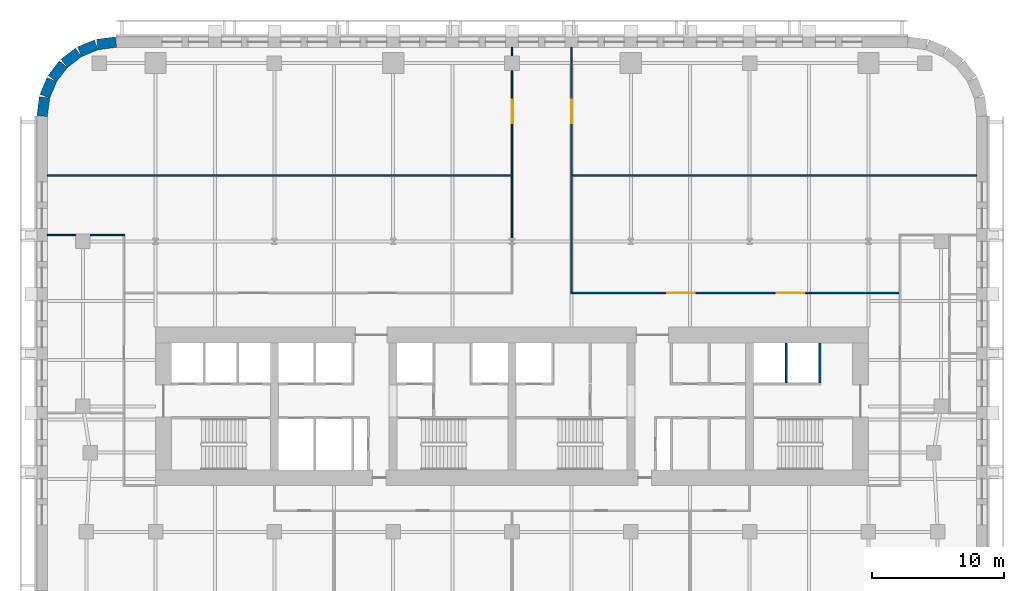
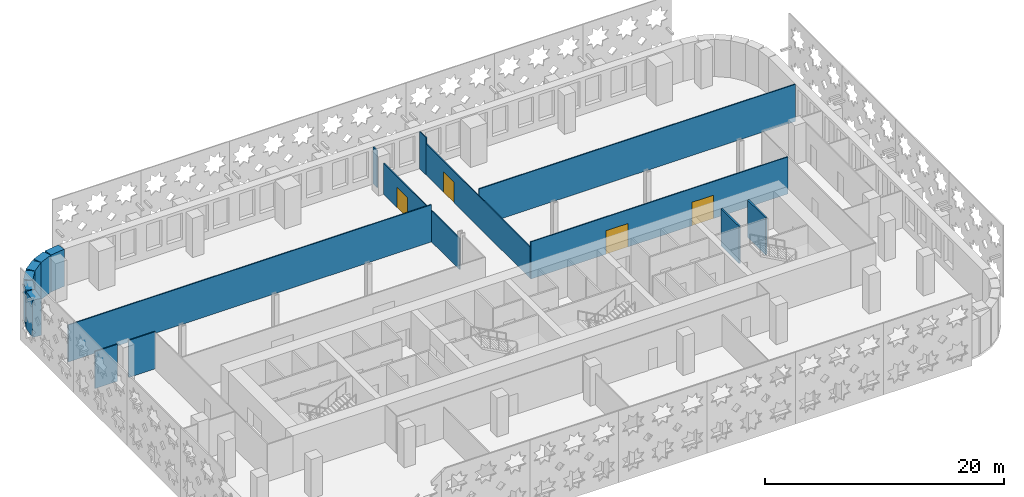
# One storey, part 7 of 15: 17 walls, 4 doors, 4 openings.
"""IFC4 building model written with IfcOpenShell, lengths in metres."""

from ifc_helpers import new_model, si_unit, direction, frame, frame_2d, origin, place, context, subcontext, project, spatial, rectangle, extrude, material, layer, layer_set, type_object, element, fill, save


model = new_model("IFC4")

# Units and contexts
model_context = context("Model", 3, precision=1e-05, world=origin(), true_north=direction((0.0, 1.0)))
body_context = subcontext(model_context, "Body", "Model", "MODEL_VIEW")
ifc_project = project(units=[si_unit("LENGTHUNIT", "METRE"), si_unit("AREAUNIT", "SQUARE_METRE"), si_unit("VOLUMEUNIT", "CUBIC_METRE"), si_unit("PLANEANGLEUNIT", "RADIAN"), si_unit("MASSUNIT", "GRAM", prefix="KILO")], contexts=[model_context])

# Site, building, storey
site_placement = place(None, origin())
site = spatial("IfcSite", under=ifc_project, at=site_placement, CompositionType="ELEMENT")
building_placement = place(site_placement, origin())
building = spatial("IfcBuilding", under=site, at=building_placement, Name="Zellij Exchange Tower", CompositionType="ELEMENT")
storey_placement = place(building_placement, frame((0.0, 0.0, 84.5)))
storey = spatial("IfcBuildingStorey", under=building, at=storey_placement, Name="L17", CompositionType="ELEMENT", Elevation=84.5)

# Walls
ifc_material_1 = material(Name="Gypsum shaft wall system")
ifc_layer_1 = layer(ifc_material_1, 0.14990234375)
ifc_layer_set_1 = layer_set([ifc_layer_1], Name="Gypsum shaft wall system")
wall_type_1 = type_object("IfcWallType", Name="CORE-PW 150 Lift shaft wall", PredefinedType="PARTITIONING", material=ifc_layer_set_1)
for number, where, z_axis, x_axis, name in (
    (1, (20.77490234375, -6.22509765625, 0.0), (0.0, 0.0, 1.0), (0.0, 1.0, 0.0), "Lift shaft wall L17"),
    (2, (23.324951171875, -6.22509765625, 0.0), (0.0, 0.0, 1.0), (0.0, 1.0, 0.0), "Lift shaft wall L17"),
):
    element("IfcWall", number, at=place(storey_placement, frame(where, z_axis=z_axis, x_axis=x_axis)), inside=storey, type_object=wall_type_1, Name=name, PredefinedType="PARTITIONING", context=body_context, shape_type="SweptSolid", body=[
        extrude(rectangle(XDim=3.025146484375, YDim=0.14990234375, at=frame_2d((1.5126953125, 0.0))), origin(), (0.0, 0.0, 1.0), 3.800048828125),
    ])
ifc_material_2 = material(Name="Precast concrete C40/50", Category="concrete")
ifc_layer_2 = layer(ifc_material_2, 0.800048828125)
ifc_layer_set_2 = layer_set([ifc_layer_2], Name="Precast concrete C40/50")
wall_type_2 = type_object("IfcWallType", Name="ENV-EW1 Precast stone-piered wall 800", PredefinedType="SOLIDWALL", material=ifc_layer_set_2)
wall_1_placement = place(storey_placement, frame((-29.999755859375, 19.5966796875, 0.0), z_axis=(0.0, 0.0, 1.0), x_axis=(-0.99144603414, -0.130517283865, 0.0)))
element("IfcWall", 3, at=wall_1_placement, inside=storey, type_object=wall_type_2, Name="fac.L17.15", PredefinedType="SOLIDWALL", context=body_context, shape_type="SweptSolid", body=[
    extrude(rectangle(XDim=1.408447265625, YDim=0.800048828125, at=frame_2d((0.7041015625, 0.0))), origin(), (0.0, 0.0, 1.0), 3.800048828125),
])
wall_2_placement = place(storey_placement, frame((-31.497314453125, 19.3857421875, 0.0), z_axis=(0.0, 0.0, 1.0), x_axis=(-0.923847774587, -0.38276009378, 0.0)))
element("IfcWall", 4, at=wall_2_placement, inside=storey, type_object=wall_type_2, Name="fac.L17.16", PredefinedType="SOLIDWALL", context=body_context, shape_type="SweptSolid", body=[
    extrude(rectangle(XDim=1.35546875, YDim=0.800048828125, at=frame_2d((0.677734375, 0.0))), origin(), (0.0, 0.0, 1.0), 3.800048828125),
])
for number, where, z_axis, x_axis, name in (
    (5, (-32.840087890625, 18.814697265625, 0.0), (0.0, 0.0, 1.0), (-0.793272915452, -0.608866226366, 0.0), "fac.L17.17"),
    (6, (-33.9892578125, 17.91552734375, 0.0), (0.0, 0.0, 1.0), (-0.608866226366, -0.793272915452, 0.0), "fac.L17.18"),
):
    element("IfcWall", number, at=place(storey_placement, frame(where, z_axis=z_axis, x_axis=x_axis)), inside=storey, type_object=wall_type_2, Name=name, PredefinedType="SOLIDWALL", context=body_context, shape_type="SweptSolid", body=[
        extrude(rectangle(XDim=1.355712890625, YDim=0.800048828125, at=frame_2d((0.677734375, 0.0))), origin(), (0.0, 0.0, 1.0), 3.800048828125),
    ])
wall_3_placement = place(storey_placement, frame((-34.866943359375, 16.74951171875, 0.0), z_axis=(0.0, 0.0, 1.0), x_axis=(-0.38276009378, -0.923847774587, 0.0)))
element("IfcWall", 7, at=wall_3_placement, inside=storey, type_object=wall_type_2, Name="fac.L17.19", PredefinedType="SOLIDWALL", context=body_context, shape_type="SweptSolid", body=[
    extrude(rectangle(XDim=1.35546875, YDim=0.800048828125, at=frame_2d((0.677734375, 0.0))), origin(), (0.0, 0.0, 1.0), 3.800048828125),
])
wall_4_placement = place(storey_placement, frame((-35.412841796875, 15.396240234375, 0.0), z_axis=(0.0, 0.0, 1.0), x_axis=(-0.130517283865, -0.99144603414, 0.0)))
element("IfcWall", 8, at=wall_4_placement, inside=storey, type_object=wall_type_2, Name="fac.L17.20", PredefinedType="SOLIDWALL", context=body_context, shape_type="SweptSolid", body=[
    extrude(rectangle(XDim=1.408447265625, YDim=0.800048828125, at=frame_2d((0.7041015625, 0.0))), origin(), (0.0, 0.0, 1.0), 3.800048828125),
])

# Wall, opening, door
ifc_material_3 = material(Name="Gypsum board partition on steel studs", Category="steel")
ifc_layer_3 = layer(ifc_material_3, 0.10009765625)
ifc_layer_set_3 = layer_set([ifc_layer_3], Name="Gypsum board partition on steel studs")
wall_type_3 = type_object("IfcWallType", Name="FIT-PARTITION-100", PredefinedType="PARTITIONING", material=ifc_layer_set_3)
wall_5_placement = place(storey_placement, frame((0.0, 4.7490234375, 0.0), z_axis=(0.0, 0.0, 1.0), x_axis=(0.0, 1.0, 0.0)))
wall_5 = element("IfcWall", 9, at=wall_5_placement, inside=storey, type_object=wall_type_3, Name="FIT-PARTITION-100 023", PredefinedType="PARTITIONING", context=body_context, shape_type="SweptSolid", body=[
    extrude(rectangle(XDim=12.700927734375, YDim=0.10009765625, at=frame_2d((6.3505859375, 0.0))), origin(), (0.0, 0.0, 1.0), 3.18798828125),
])
opening_1_placement = place(wall_5_placement, frame((8.68115234375, 0.0, 0.0)))
opening_1 = element("IfcOpeningElement", 10, at=opening_1_placement, cuts=wall_5, Name="Opening TC.14", PredefinedType="OPENING", context=body_context, shape_type="SweptSolid", body=[
    extrude(rectangle(XDim=1.800048828125, YDim=2.10009765625, at=frame_2d((0.89990234375, 1.050048828125))), frame((0.0, 0.06201171875, 0.0), z_axis=(0.0, -1.0, 0.0), x_axis=(1.0, 0.0, 0.0)), (0.0, 0.0, 1.0), 0.1240234375),
])
ifc_material_4 = material(Name="Timber door set", Category="wood")
door_type_1 = type_object("IfcDoorType", Name="FIT-D3-DOUBLE-1800X2100", OperationType="DOUBLE_DOOR_SINGLE_SWING", PredefinedType="DOOR", material=ifc_material_4)
door_1_placement = place(opening_1_placement, origin())
door_1 = element("IfcDoor", 11, at=door_1_placement, inside=storey, type_object=door_type_1, Name="Door TC.14", OperationType="DOUBLE_DOOR_SINGLE_SWING", OverallHeight=2.10009765625, OverallWidth=1.800048828125, PredefinedType="DOOR", context=body_context, shape_type="SweptSolid", body=[
    extrude(rectangle(XDim=1.800048828125, YDim=2.10009765625, at=frame_2d((0.89990234375, 1.050048828125))), frame((0.0, 0.02490234375, 0.0), z_axis=(0.0, -1.0, 0.0), x_axis=(1.0, 0.0, 0.0)), (0.0, 0.0, 1.0), 0.050048828125),
])
fill(opening_1, door_1)

# Wall
wall_6_placement = place(storey_placement, frame((0.0, 18.550048828125, 0.0), z_axis=(0.0, 0.0, 1.0), x_axis=(0.0, 1.0, 0.0)))
element("IfcWall", 12, at=wall_6_placement, inside=storey, type_object=wall_type_3, Name="FIT-PARTITION-100 024", PredefinedType="PARTITIONING", context=body_context, shape_type="SweptSolid", body=[
    extrude(rectangle(XDim=0.64990234375, YDim=0.10009765625, at=frame_2d((0.324951171875, 0.0))), origin(), (0.0, 0.0, 1.0), 3.800048828125),
])

# Wall, openings, doors
wall_7_placement = place(storey_placement, frame((4.449951171875, 0.60009765625, 0.0), z_axis=(0.0, 0.0, 1.0), x_axis=(1.0, 0.0, 0.0)))
wall_7 = element("IfcWall", 13, at=wall_7_placement, inside=storey, type_object=wall_type_3, Name="FIT-PARTITION-100 025", PredefinedType="PARTITIONING", context=body_context, shape_type="SweptSolid", body=[
    extrude(rectangle(XDim=24.900146484375, YDim=0.10009765625, at=frame_2d((12.4501953125, 0.0))), origin(), (0.0, 0.0, 1.0), 3.800048828125),
])
opening_2_placement = place(wall_7_placement, frame((7.300048828125, 0.0, 0.0)))
opening_2 = element("IfcOpeningElement", 14, at=opening_2_placement, cuts=wall_7, Name="Opening TC.11", PredefinedType="OPENING", context=body_context, shape_type="SweptSolid", body=[
    extrude(rectangle(XDim=2.10009765625, YDim=2.39990234375, at=frame_2d((1.050048828125, 1.199951171875))), frame((0.0, 0.06201171875, 0.0), z_axis=(0.0, -1.0, 0.0), x_axis=(1.0, 0.0, 0.0)), (0.0, 0.0, 1.0), 0.1240234375),
])
opening_3_placement = place(wall_7_placement, frame((15.60009765625, 0.0, 0.0)))
opening_3 = element("IfcOpeningElement", 15, at=opening_3_placement, cuts=wall_7, Name="Opening TC.12", PredefinedType="OPENING", context=body_context, shape_type="SweptSolid", body=[
    extrude(rectangle(XDim=2.10009765625, YDim=2.39990234375, at=frame_2d((1.050048828125, 1.199951171875))), frame((0.0, 0.06201171875, 0.0), z_axis=(0.0, -1.0, 0.0), x_axis=(1.0, 0.0, 0.0)), (0.0, 0.0, 1.0), 0.1240234375),
])
door_type_2 = type_object("IfcDoorType", Name="FIT-D7-ASSEMBLY-2100X2400", OperationType="DOUBLE_DOOR_SINGLE_SWING", PredefinedType="DOOR", material=ifc_material_4)
door_2_placement = place(opening_2_placement, origin())
door_2 = element("IfcDoor", 16, at=door_2_placement, inside=storey, type_object=door_type_2, Name="Door TC.11", OperationType="DOUBLE_DOOR_SINGLE_SWING", OverallHeight=2.39990234375, OverallWidth=2.10009765625, PredefinedType="DOOR", context=body_context, shape_type="SweptSolid", body=[
    extrude(rectangle(XDim=2.10009765625, YDim=2.39990234375, at=frame_2d((1.050048828125, 1.199951171875))), frame((0.0, 0.02490234375, 0.0), z_axis=(0.0, -1.0, 0.0), x_axis=(1.0, 0.0, 0.0)), (0.0, 0.0, 1.0), 0.050048828125),
])
fill(opening_2, door_2)
door_3_placement = place(opening_3_placement, origin())
door_3 = element("IfcDoor", 17, at=door_3_placement, inside=storey, type_object=door_type_2, Name="Door TC.12", OperationType="DOUBLE_DOOR_SINGLE_SWING", OverallHeight=2.39990234375, OverallWidth=2.10009765625, PredefinedType="DOOR", context=body_context, shape_type="SweptSolid", body=[
    extrude(rectangle(XDim=2.10009765625, YDim=2.39990234375, at=frame_2d((1.050048828125, 1.199951171875))), frame((0.0, 0.02490234375, 0.0), z_axis=(0.0, -1.0, 0.0), x_axis=(1.0, 0.0, 0.0)), (0.0, 0.0, 1.0), 0.050048828125),
])
fill(opening_3, door_3)

# Wall, opening, door
wall_8_placement = place(storey_placement, frame((4.5, 0.64990234375, 0.0), z_axis=(0.0, 0.0, 1.0), x_axis=(0.0, 1.0, 0.0)))
wall_8 = element("IfcWall", 18, at=wall_8_placement, inside=storey, type_object=wall_type_3, Name="FIT-PARTITION-100 026", PredefinedType="PARTITIONING", context=body_context, shape_type="SweptSolid", body=[
    extrude(rectangle(XDim=17.464599609375, YDim=0.10009765625, at=frame_2d((8.732421875, 0.0))), origin(), (0.0, 0.0, 1.0), 3.197998046875),
])
opening_4_placement = place(wall_8_placement, frame((12.780029296875, 0.0, 0.0)))
opening_4 = element("IfcOpeningElement", 19, at=opening_4_placement, cuts=wall_8, Name="Opening TC.15", PredefinedType="OPENING", context=body_context, shape_type="SweptSolid", body=[
    extrude(rectangle(XDim=1.800048828125, YDim=2.10009765625, at=frame_2d((0.89990234375, 1.050048828125))), frame((0.0, 0.06201171875, 0.0), z_axis=(0.0, -1.0, 0.0), x_axis=(1.0, 0.0, 0.0)), (0.0, 0.0, 1.0), 0.1240234375),
])
door_4_placement = place(opening_4_placement, origin())
door_4 = element("IfcDoor", 20, at=door_4_placement, inside=storey, type_object=door_type_1, Name="Door TC.15", OperationType="DOUBLE_DOOR_SINGLE_SWING", OverallHeight=2.10009765625, OverallWidth=1.800048828125, PredefinedType="DOOR", context=body_context, shape_type="SweptSolid", body=[
    extrude(rectangle(XDim=1.800048828125, YDim=2.10009765625, at=frame_2d((0.89990234375, 1.050048828125))), frame((0.0, 0.02490234375, 0.0), z_axis=(0.0, -1.0, 0.0), x_axis=(1.0, 0.0, 0.0)), (0.0, 0.0, 1.0), 0.050048828125),
])
fill(opening_4, door_4)

# Walls
wall_9_placement = place(storey_placement, frame((4.5, 18.114501953125, 0.0), z_axis=(0.0, 0.0, 1.0), x_axis=(0.0, 1.0, 0.0)))
element("IfcWall", 21, at=wall_9_placement, inside=storey, type_object=wall_type_3, Name="FIT-PARTITION-100 027", PredefinedType="PARTITIONING", context=body_context, shape_type="SweptSolid", body=[
    extrude(rectangle(XDim=1.08544921875, YDim=0.10009765625, at=frame_2d((0.542724609375, 0.0))), origin(), (0.0, 0.0, 1.0), 3.800048828125),
])
wall_10_placement = place(storey_placement, frame((-35.199951171875, 4.989990234375, 0.0), z_axis=(0.0, 0.0, 1.0), x_axis=(1.0, 0.0, 0.0)))
element("IfcWall", 22, at=wall_10_placement, inside=storey, type_object=wall_type_3, Name="FIT-PARTITION-100 028", PredefinedType="PARTITIONING", context=body_context, shape_type="SweptSolid", body=[
    extrude(rectangle(XDim=2.14990234375, YDim=0.10009765625, at=frame_2d((1.074951171875, 0.0))), origin(), (0.0, 0.0, 1.0), 3.800048828125),
])
wall_11_placement = place(storey_placement, frame((-31.949951171875, 4.989990234375, 0.0), z_axis=(0.0, 0.0, 1.0), x_axis=(1.0, 0.0, 0.0)))
element("IfcWall", 23, at=wall_11_placement, inside=storey, type_object=wall_type_3, Name="FIT-PARTITION-100 029", PredefinedType="PARTITIONING", context=body_context, shape_type="SweptSolid", body=[
    extrude(rectangle(XDim=2.599853515625, YDim=0.10009765625, at=frame_2d((1.2998046875, 0.0))), origin(), (0.0, 0.0, 1.0), 3.800048828125),
])
wall_12_placement = place(storey_placement, frame((-35.199951171875, 9.47998046875, 0.0), z_axis=(0.0, 0.0, 1.0), x_axis=(1.0, 0.0, 0.0)))
element("IfcWall", 24, at=wall_12_placement, inside=storey, type_object=wall_type_3, Name="FIT-PARTITION-100 032", PredefinedType="PARTITIONING", context=body_context, shape_type="SweptSolid", body=[
    extrude(rectangle(XDim=35.14990234375, YDim=0.10009765625, at=frame_2d((17.574951171875, 0.0))), origin(), (0.0, 0.0, 1.0), 3.800048828125),
])
wall_13_placement = place(storey_placement, frame((4.550048828125, 9.47998046875, 0.0), z_axis=(0.0, 0.0, 1.0), x_axis=(1.0, 0.0, 0.0)))
element("IfcWall", 25, at=wall_13_placement, inside=storey, type_object=wall_type_3, Name="FIT-PARTITION-100 033", PredefinedType="PARTITIONING", context=body_context, shape_type="SweptSolid", body=[
    extrude(rectangle(XDim=30.64990234375, YDim=0.10009765625, at=frame_2d((15.324951171875, 0.0))), origin(), (0.0, 0.0, 1.0), 3.800048828125),
])

save(model, "model.ifc")
